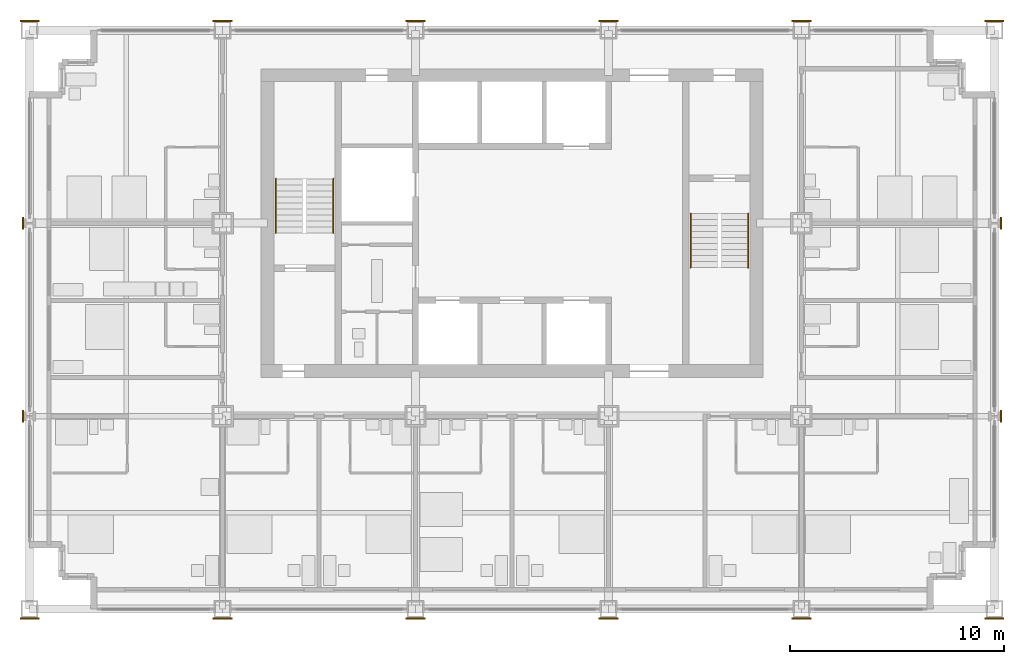
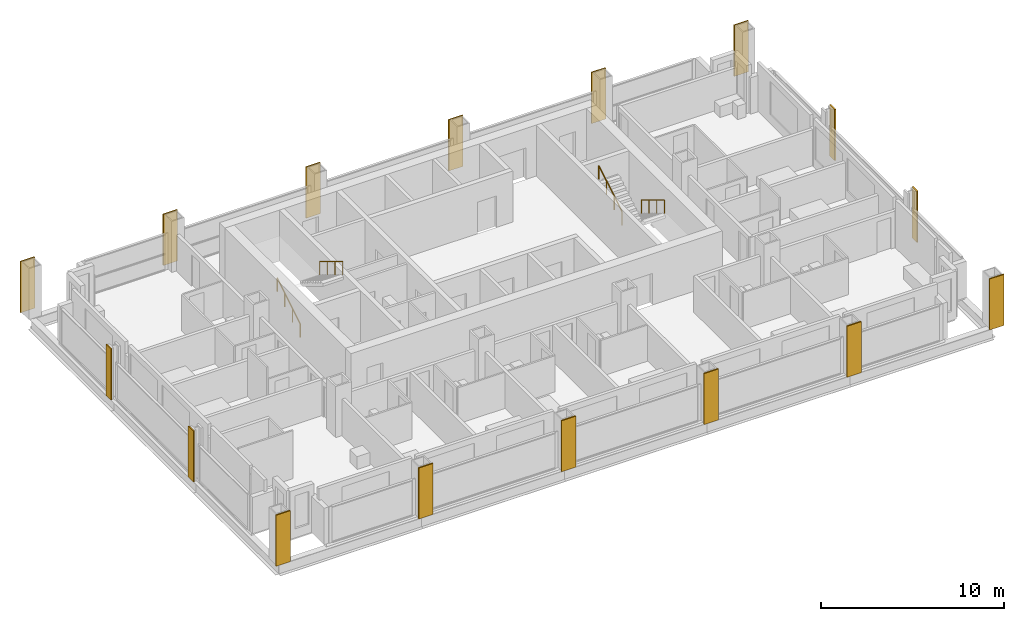
# One storey, part 11 of 13: 16 coverings, 4 railings.
"""IFC4 building model written with IfcOpenShell, lengths in metres."""

from ifc_helpers import new_model, si_unit, direction, frame, origin, origin_2d, place, context, subcontext, project, spatial, rectangle, circle, extrude, material, layer, layer_set, type_object, element, save


model = new_model("IFC4")

# Units and contexts
model_context = context("Model", 3, precision=1e-05, world=origin(), true_north=direction((0.0, 1.0)))
body_context = subcontext(model_context, "Body", "Model", "MODEL_VIEW")
ifc_project = project(units=[si_unit("LENGTHUNIT", "METRE"), si_unit("AREAUNIT", "SQUARE_METRE"), si_unit("VOLUMEUNIT", "CUBIC_METRE"), si_unit("PLANEANGLEUNIT", "RADIAN"), si_unit("MASSUNIT", "GRAM", prefix="KILO")], contexts=[model_context])

# Site, building, storey
site_placement = place(None, origin())
site = spatial("IfcSite", under=ifc_project, at=site_placement, CompositionType="ELEMENT")
building_placement = place(site_placement, origin())
building = spatial("IfcBuilding", under=site, at=building_placement, Name="Loomwork Tower", CompositionType="ELEMENT")
storey_placement = place(building_placement, frame((0.0, 0.0, 163.800048828125)))
storey = spatial("IfcBuildingStorey", under=building, at=storey_placement, Name="L44", CompositionType="ELEMENT", Elevation=163.800048828125)

# Railings
ifc_material_1 = material(Name="Stainless steel handrail", Category="steel")
railing_type = type_object("IfcRailingType", Name="Handrail 900", PredefinedType="HANDRAIL", material=ifc_material_1)
railing_1_placement = place(storey_placement, frame((11.485107421875, 17.550048828125, 0.169921875)))
element("IfcRailing", 1, at=railing_1_placement, inside=storey, type_object=railing_type, Name="Stair A handrail flight 1 L44", PredefinedType="HANDRAIL", context=body_context, shape_type="SweptSolid", body=[
    extrude(circle(Radius=0.02392578125, at=origin_2d()), frame((0.0, 0.0, 0.8759765625), z_axis=(0.0, 0.85478489116, 0.518982456201), x_axis=(-1.0, 0.0, 0.0)), (0.0, 0.0, 1.0), 2.9482421875),
    extrude(circle(Radius=0.02099609375, at=origin_2d()), origin(), (0.0, 0.0, 1.0), 0.851806640625),
    extrude(circle(Radius=0.02099609375, at=origin_2d()), frame((0.0, 0.840087890625, 0.510009765625)), (0.0, 0.0, 1.0), 0.851806640625),
    extrude(circle(Radius=0.02099609375, at=origin_2d()), frame((0.0, 1.679931640625, 1.02001953125)), (0.0, 0.0, 1.0), 0.851806640625),
    extrude(circle(Radius=0.02099609375, at=origin_2d()), frame((0.0, 2.52001953125, 1.530029296875)), (0.0, 0.0, 1.0), 0.851806640625),
])
for number, where, name in (
    (2, (14.1650390625, 20.070068359375, 1.869873046875), "Stair A handrail flight 2 L44"),
    (3, (33.514892578125, 18.449951171875, 0.169921875), "Stair B handrail flight 1 L44"),
):
    element("IfcRailing", number, at=place(storey_placement, frame(where)), inside=storey, type_object=railing_type, Name=name, PredefinedType="HANDRAIL", context=body_context, shape_type="SweptSolid", body=[
        extrude(circle(Radius=0.02392578125, at=origin_2d()), frame((0.0, 0.0, 0.8759765625), z_axis=(0.0, -0.85478489116, 0.518982456201), x_axis=(1.0, 0.0, 0.0)), (0.0, 0.0, 1.0), 2.9482421875),
        extrude(circle(Radius=0.02099609375, at=origin_2d()), origin(), (0.0, 0.0, 1.0), 0.851806640625),
        extrude(circle(Radius=0.02099609375, at=origin_2d()), frame((0.0, -0.840087890625, 0.510009765625)), (0.0, 0.0, 1.0), 0.851806640625),
        extrude(circle(Radius=0.02099609375, at=origin_2d()), frame((0.0, -1.679931640625, 1.02001953125)), (0.0, 0.0, 1.0), 0.851806640625),
        extrude(circle(Radius=0.02099609375, at=origin_2d()), frame((0.0, -2.52001953125, 1.530029296875)), (0.0, 0.0, 1.0), 0.851806640625),
    ])
railing_2_placement = place(storey_placement, frame((30.8349609375, 15.929931640625, 1.869873046875)))
element("IfcRailing", 4, at=railing_2_placement, inside=storey, type_object=railing_type, Name="Stair B handrail flight 2 L44", PredefinedType="HANDRAIL", context=body_context, shape_type="SweptSolid", body=[
    extrude(circle(Radius=0.02392578125, at=origin_2d()), frame((0.0, 0.0, 0.8759765625), z_axis=(0.0, 0.85478489116, 0.518982456201), x_axis=(-1.0, 0.0, 0.0)), (0.0, 0.0, 1.0), 2.9482421875),
    extrude(circle(Radius=0.02099609375, at=origin_2d()), origin(), (0.0, 0.0, 1.0), 0.851806640625),
    extrude(circle(Radius=0.02099609375, at=origin_2d()), frame((0.0, 0.840087890625, 0.510009765625)), (0.0, 0.0, 1.0), 0.851806640625),
    extrude(circle(Radius=0.02099609375, at=origin_2d()), frame((0.0, 1.679931640625, 1.02001953125)), (0.0, 0.0, 1.0), 0.851806640625),
    extrude(circle(Radius=0.02099609375, at=origin_2d()), frame((0.0, 2.52001953125, 1.530029296875)), (0.0, 0.0, 1.0), 0.851806640625),
])

# Coverings
ifc_material_2 = material(Name="Limestone", Category="masonry")
ifc_layer = layer(ifc_material_2, 0.080078125)
ifc_layer_set = layer_set([ifc_layer], Name="Limestone pier facing 80")
covering_type = type_object("IfcCoveringType", Name="Limestone pier facing 80", PredefinedType="CLADDING", material=ifc_layer_set)
covering_1_placement = place(storey_placement, frame((0.0, -0.43994140625, 0.0), z_axis=(0.0, 0.0, 1.0), x_axis=(1.0, 0.0, 0.0)))
element("IfcCovering", 5, at=covering_1_placement, inside=storey, type_object=covering_type, Name="Pier facing D/2 L44", PredefinedType="CLADDING", context=body_context, shape_type="SweptSolid", body=[
    extrude(rectangle(XDim=0.89990234375, YDim=0.080078125, at=origin_2d()), origin(), (0.0, 0.0, 1.0), 3.39990234375),
])
for number, where, z_axis, x_axis, name in (
    (6, (-0.314208984375, 9.0, 0.0), (0.0, 0.0, 1.0), (1.0, 0.0, 0.0), "Pier facing E/2 L44"),
    (7, (-0.314208984375, 18.0, 0.0), (0.0, 0.0, 1.0), (1.0, 0.0, 0.0), "Pier facing F/2 L44"),
):
    element("IfcCovering", number, at=place(storey_placement, frame(where, z_axis=z_axis, x_axis=x_axis)), inside=storey, type_object=covering_type, Name=name, PredefinedType="CLADDING", context=body_context, shape_type="SweptSolid", body=[
        extrude(rectangle(XDim=0.080078125, YDim=0.549560546875, at=origin_2d()), origin(), (0.0, 0.0, 1.0), 3.39990234375),
    ])
for number, where, z_axis, x_axis, name in (
    (8, (0.0, 27.43994140625, 0.0), (0.0, 0.0, 1.0), (1.0, 0.0, 0.0), "Pier facing G/2 L44"),
    (9, (9.0, -0.43994140625, 0.0), (0.0, 0.0, 1.0), (1.0, 0.0, 0.0), "Pier facing D/3 L44"),
    (10, (9.0, 27.43994140625, 0.0), (0.0, 0.0, 1.0), (1.0, 0.0, 0.0), "Pier facing G/3 L44"),
    (11, (18.0, -0.43994140625, 0.0), (0.0, 0.0, 1.0), (1.0, 0.0, 0.0), "Pier facing D/4 L44"),
    (12, (18.0, 27.43994140625, 0.0), (0.0, 0.0, 1.0), (1.0, 0.0, 0.0), "Pier facing G/4 L44"),
    (13, (27.0, -0.43994140625, 0.0), (0.0, 0.0, 1.0), (1.0, 0.0, 0.0), "Pier facing D/5 L44"),
    (14, (27.0, 27.43994140625, 0.0), (0.0, 0.0, 1.0), (1.0, 0.0, 0.0), "Pier facing G/5 L44"),
    (15, (36.0, -0.43994140625, 0.0), (0.0, 0.0, 1.0), (1.0, 0.0, 0.0), "Pier facing D/6 L44"),
    (16, (36.0, 27.43994140625, 0.0), (0.0, 0.0, 1.0), (1.0, 0.0, 0.0), "Pier facing G/6 L44"),
    (17, (45.0, -0.43994140625, 0.0), (0.0, 0.0, 1.0), (1.0, 0.0, 0.0), "Pier facing D/7 L44"),
):
    element("IfcCovering", number, at=place(storey_placement, frame(where, z_axis=z_axis, x_axis=x_axis)), inside=storey, type_object=covering_type, Name=name, PredefinedType="CLADDING", context=body_context, shape_type="SweptSolid", body=[
        extrude(rectangle(XDim=0.89990234375, YDim=0.080078125, at=origin_2d()), origin(), (0.0, 0.0, 1.0), 3.39990234375),
    ])
for number, where, z_axis, x_axis, name in (
    (18, (45.314208984375, 9.0, 0.0), (0.0, 0.0, 1.0), (1.0, 0.0, 0.0), "Pier facing E/7 L44"),
    (19, (45.314208984375, 18.0, 0.0), (0.0, 0.0, 1.0), (1.0, 0.0, 0.0), "Pier facing F/7 L44"),
):
    element("IfcCovering", number, at=place(storey_placement, frame(where, z_axis=z_axis, x_axis=x_axis)), inside=storey, type_object=covering_type, Name=name, PredefinedType="CLADDING", context=body_context, shape_type="SweptSolid", body=[
        extrude(rectangle(XDim=0.080078125, YDim=0.549560546875, at=origin_2d()), origin(), (0.0, 0.0, 1.0), 3.39990234375),
    ])
covering_2_placement = place(storey_placement, frame((45.0, 27.43994140625, 0.0), z_axis=(0.0, 0.0, 1.0), x_axis=(1.0, 0.0, 0.0)))
element("IfcCovering", 20, at=covering_2_placement, inside=storey, type_object=covering_type, Name="Pier facing G/7 L44", PredefinedType="CLADDING", context=body_context, shape_type="SweptSolid", body=[
    extrude(rectangle(XDim=0.89990234375, YDim=0.080078125, at=origin_2d()), origin(), (0.0, 0.0, 1.0), 3.39990234375),
])

save(model, "model.ifc")
